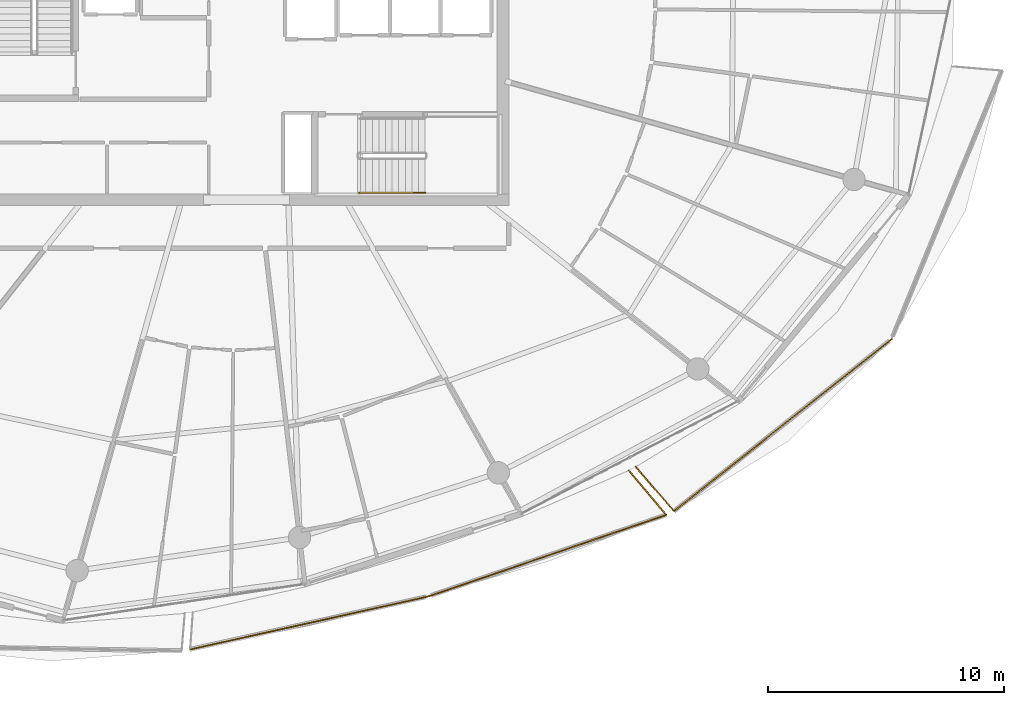
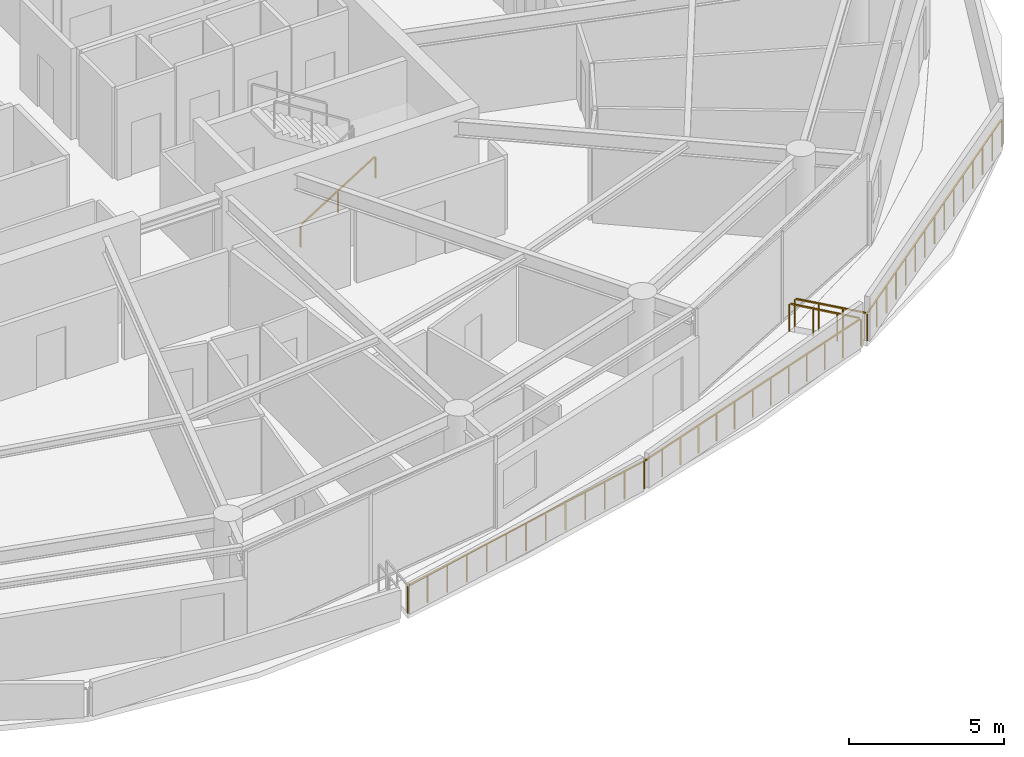
# One storey, part 25 of 29: 6 railings.
"""IFC4 building model written with IfcOpenShell, lengths in metres."""

from ifc_helpers import new_model, si_unit, direction, frame, origin, origin_2d, place, context, subcontext, project, spatial, rectangle, extrude, material, type_object, element, save


model = new_model("IFC4")

# Units and contexts
model_context = context("Model", 3, precision=1e-05, world=origin(), true_north=direction((0.0, 1.0)))
body_context = subcontext(model_context, "Body", "Model", "MODEL_VIEW")
ifc_project = project(units=[si_unit("LENGTHUNIT", "METRE"), si_unit("AREAUNIT", "SQUARE_METRE"), si_unit("VOLUMEUNIT", "CUBIC_METRE"), si_unit("PLANEANGLEUNIT", "RADIAN"), si_unit("MASSUNIT", "GRAM", prefix="KILO")], contexts=[model_context])

# Site, building, storey
site_placement = place(None, origin())
site = spatial("IfcSite", under=ifc_project, at=site_placement, CompositionType="ELEMENT")
building_placement = place(site_placement, origin())
building = spatial("IfcBuilding", under=site, at=building_placement, Name="Kazma Halo Residences", CompositionType="ELEMENT")
storey_placement = place(building_placement, frame((0.0, 0.0, 282.89990234375)))
storey = spatial("IfcBuildingStorey", under=building, at=storey_placement, Name="L71", CompositionType="ELEMENT", Elevation=282.89990234375)

# Railings
ifc_material_1 = material(Name="Aluminium AW-6063 T6 Brushed Cap Rail", Category="aluminium")
railing_type_1 = type_object("IfcRailingType", Name="RLG-BAL-CAP-1120", PredefinedType="BALUSTRADE", material=ifc_material_1)
railing_1_placement = place(storey_placement, frame((46.01708984375, 14.672607421875, 0.0)))
element("IfcRailing", 1, at=railing_1_placement, inside=storey, type_object=railing_type_1, Name="L71 SSE wave balcony guard 2", PredefinedType="BALUSTRADE", context=body_context, shape_type="SweptSolid", body=[
    extrude(rectangle(XDim=0.050048828125, YDim=0.050048828125, at=origin_2d()), frame((0.04150390625, 0.00927734375, 1.09521484375), z_axis=(0.976128347195, 0.217194497633, 0.0), x_axis=(-0.217194497633, 0.976128347195, 0.0)), (0.0, 0.0, 1.0), 10.292236328125),
    extrude(rectangle(XDim=0.0400390625, YDim=0.0400390625, at=origin_2d()), origin(), (0.0, 0.0, 1.0), 1.05810546875),
    extrude(rectangle(XDim=0.0400390625, YDim=0.0400390625, at=origin_2d()), frame((0.84423828125, 0.187744140625, 0.0)), (0.0, 0.0, 1.0), 1.05810546875),
    extrude(rectangle(XDim=0.0400390625, YDim=0.0400390625, at=origin_2d()), frame((1.688232421875, 0.375732421875, 0.0)), (0.0, 0.0, 1.0), 1.05810546875),
    extrude(rectangle(XDim=0.0400390625, YDim=0.0400390625, at=origin_2d()), frame((2.532470703125, 0.5634765625, 0.0)), (0.0, 0.0, 1.0), 1.05810546875),
    extrude(rectangle(XDim=0.0400390625, YDim=0.0400390625, at=origin_2d()), frame((3.37646484375, 0.751220703125, 0.0)), (0.0, 0.0, 1.0), 1.05810546875),
    extrude(rectangle(XDim=0.0400390625, YDim=0.0400390625, at=origin_2d()), frame((4.220703125, 0.939208984375, 0.0)), (0.0, 0.0, 1.0), 1.05810546875),
    extrude(rectangle(XDim=0.0400390625, YDim=0.0400390625, at=origin_2d()), frame((5.06494140625, 1.126953125, 0.0)), (0.0, 0.0, 1.0), 1.05810546875),
    extrude(rectangle(XDim=0.0400390625, YDim=0.0400390625, at=origin_2d()), frame((5.908935546875, 1.314697265625, 0.0)), (0.0, 0.0, 1.0), 1.05810546875),
    extrude(rectangle(XDim=0.0400390625, YDim=0.0400390625, at=origin_2d()), frame((6.753173828125, 1.502685546875, 0.0)), (0.0, 0.0, 1.0), 1.05810546875),
    extrude(rectangle(XDim=0.0400390625, YDim=0.0400390625, at=origin_2d()), frame((7.59716796875, 1.6904296875, 0.0)), (0.0, 0.0, 1.0), 1.05810546875),
    extrude(rectangle(XDim=0.0400390625, YDim=0.0400390625, at=origin_2d()), frame((8.44140625, 1.878173828125, 0.0)), (0.0, 0.0, 1.0), 1.05810546875),
    extrude(rectangle(XDim=0.0400390625, YDim=0.0400390625, at=origin_2d()), frame((9.285400390625, 2.066162109375, 0.0)), (0.0, 0.0, 1.0), 1.05810546875),
    extrude(rectangle(XDim=0.0400390625, YDim=0.0400390625, at=origin_2d()), frame((10.129638671875, 2.25390625, 0.0)), (0.0, 0.0, 1.0), 1.05810546875),
])
railing_2_placement = place(storey_placement, frame((56.146728515625, 16.926513671875, 0.0)))
element("IfcRailing", 2, at=railing_2_placement, inside=storey, type_object=railing_type_1, Name="L71 SSE wave balcony guard 3", PredefinedType="BALUSTRADE", context=body_context, shape_type="SweptSolid", body=[
    extrude(rectangle(XDim=0.050048828125, YDim=0.050048828125, at=origin_2d()), frame((0.040283203125, 0.013671875, 1.09521484375), z_axis=(0.945989483895, 0.324197310845, 0.0), x_axis=(-0.324197310845, 0.945989483895, 0.0)), (0.0, 0.0, 1.0), 10.5791015625),
    extrude(rectangle(XDim=0.0400390625, YDim=0.0400390625, at=origin_2d()), origin(), (0.0, 0.0, 1.0), 1.05810546875),
    extrude(rectangle(XDim=0.0400390625, YDim=0.0400390625, at=origin_2d()), frame((0.840576171875, 0.2880859375, 0.0)), (0.0, 0.0, 1.0), 1.05810546875),
    extrude(rectangle(XDim=0.0400390625, YDim=0.0400390625, at=origin_2d()), frame((1.681396484375, 0.576171875, 0.0)), (0.0, 0.0, 1.0), 1.05810546875),
    extrude(rectangle(XDim=0.0400390625, YDim=0.0400390625, at=origin_2d()), frame((2.52197265625, 0.8642578125, 0.0)), (0.0, 0.0, 1.0), 1.05810546875),
    extrude(rectangle(XDim=0.0400390625, YDim=0.0400390625, at=origin_2d()), frame((3.36279296875, 1.15234375, 0.0)), (0.0, 0.0, 1.0), 1.05810546875),
    extrude(rectangle(XDim=0.0400390625, YDim=0.0400390625, at=origin_2d()), frame((4.203369140625, 1.4404296875, 0.0)), (0.0, 0.0, 1.0), 1.05810546875),
    extrude(rectangle(XDim=0.0400390625, YDim=0.0400390625, at=origin_2d()), frame((5.0439453125, 1.728515625, 0.0)), (0.0, 0.0, 1.0), 1.05810546875),
    extrude(rectangle(XDim=0.0400390625, YDim=0.0400390625, at=origin_2d()), frame((5.884765625, 2.016845703125, 0.0)), (0.0, 0.0, 1.0), 1.05810546875),
    extrude(rectangle(XDim=0.0400390625, YDim=0.0400390625, at=origin_2d()), frame((6.725341796875, 2.304931640625, 0.0)), (0.0, 0.0, 1.0), 1.05810546875),
    extrude(rectangle(XDim=0.0400390625, YDim=0.0400390625, at=origin_2d()), frame((7.566162109375, 2.593017578125, 0.0)), (0.0, 0.0, 1.0), 1.05810546875),
    extrude(rectangle(XDim=0.0400390625, YDim=0.0400390625, at=origin_2d()), frame((8.40673828125, 2.881103515625, 0.0)), (0.0, 0.0, 1.0), 1.05810546875),
    extrude(rectangle(XDim=0.0400390625, YDim=0.0400390625, at=origin_2d()), frame((9.24755859375, 3.169189453125, 0.0)), (0.0, 0.0, 1.0), 1.05810546875),
    extrude(rectangle(XDim=0.0400390625, YDim=0.0400390625, at=origin_2d()), frame((10.088134765625, 3.457275390625, 0.0)), (0.0, 0.0, 1.0), 1.05810546875),
])
railing_3_placement = place(storey_placement, frame((66.23486328125, 20.3837890625, 0.0)))
element("IfcRailing", 3, at=railing_3_placement, inside=storey, type_object=railing_type_1, Name="L71 SSE wave balcony guard 4", PredefinedType="BALUSTRADE", context=body_context, shape_type="SweptSolid", body=[
    extrude(rectangle(XDim=0.050048828125, YDim=0.050048828125, at=origin_2d()), frame((-0.02734375, 0.032470703125, 1.09521484375), z_axis=(-0.644836604623, 0.764320451995, 0.0), x_axis=(-0.764320451995, -0.644836604623, 0.0)), (0.0, 0.0, 1.0), 2.381103515625),
    extrude(rectangle(XDim=0.0400390625, YDim=0.0400390625, at=origin_2d()), origin(), (0.0, 0.0, 1.0), 1.05810546875),
    extrude(rectangle(XDim=0.0400390625, YDim=0.0400390625, at=origin_2d()), frame((-0.530029296875, 0.62841796875, 0.0)), (0.0, 0.0, 1.0), 1.05810546875),
    extrude(rectangle(XDim=0.0400390625, YDim=0.0400390625, at=origin_2d()), frame((-1.060302734375, 1.256591796875, 0.0)), (0.0, 0.0, 1.0), 1.05810546875),
    extrude(rectangle(XDim=0.0400390625, YDim=0.0400390625, at=origin_2d()), frame((-1.59033203125, 1.885009765625, 0.0)), (0.0, 0.0, 1.0), 1.05810546875),
])
railing_4_placement = place(storey_placement, frame((64.93212890625, 22.41845703125, 0.0)))
element("IfcRailing", 4, at=railing_4_placement, inside=storey, type_object=railing_type_1, Name="L71 SE wave balcony guard 1", PredefinedType="BALUSTRADE", context=body_context, shape_type="SweptSolid", body=[
    extrude(rectangle(XDim=0.050048828125, YDim=0.050048828125, at=origin_2d()), frame((0.02783203125, -0.0322265625, 1.09521484375), z_axis=(0.65405468869, -0.756447264654, 0.0), x_axis=(0.756447264654, 0.65405468869, 0.0)), (0.0, 0.0, 1.0), 2.3994140625),
    extrude(rectangle(XDim=0.0400390625, YDim=0.0400390625, at=origin_2d()), origin(), (0.0, 0.0, 1.0), 1.05810546875),
    extrude(rectangle(XDim=0.0400390625, YDim=0.0400390625, at=origin_2d()), frame((0.541748046875, -0.62646484375, 0.0)), (0.0, 0.0, 1.0), 1.05810546875),
    extrude(rectangle(XDim=0.0400390625, YDim=0.0400390625, at=origin_2d()), frame((1.083251953125, -1.2529296875, 0.0)), (0.0, 0.0, 1.0), 1.05810546875),
    extrude(rectangle(XDim=0.0400390625, YDim=0.0400390625, at=origin_2d()), frame((1.625, -1.87939453125, 0.0)), (0.0, 0.0, 1.0), 1.05810546875),
])
railing_5_placement = place(storey_placement, frame((66.55712890625, 20.5390625, 0.0)))
element("IfcRailing", 5, at=railing_5_placement, inside=storey, type_object=railing_type_1, Name="L71 SE wave balcony guard 2", PredefinedType="BALUSTRADE", context=body_context, shape_type="SweptSolid", body=[
    extrude(rectangle(XDim=0.050048828125, YDim=0.050048828125, at=origin_2d()), frame((0.033447265625, 0.0263671875, 1.09521484375), z_axis=(0.784537591948, 0.62008125824, 0.0), x_axis=(-0.62008125824, 0.784537591948, 0.0)), (0.0, 0.0, 1.0), 11.687255859375),
    extrude(rectangle(XDim=0.0400390625, YDim=0.0400390625, at=origin_2d()), origin(), (0.0, 0.0, 1.0), 1.05810546875),
    extrude(rectangle(XDim=0.0400390625, YDim=0.0400390625, at=origin_2d()), frame((0.65966796875, 0.521484375, 0.0)), (0.0, 0.0, 1.0), 1.05810546875),
    extrude(rectangle(XDim=0.0400390625, YDim=0.0400390625, at=origin_2d()), frame((1.3193359375, 1.042724609375, 0.0)), (0.0, 0.0, 1.0), 1.05810546875),
    extrude(rectangle(XDim=0.0400390625, YDim=0.0400390625, at=origin_2d()), frame((1.97900390625, 1.564208984375, 0.0)), (0.0, 0.0, 1.0), 1.05810546875),
    extrude(rectangle(XDim=0.0400390625, YDim=0.0400390625, at=origin_2d()), frame((2.638916015625, 2.085693359375, 0.0)), (0.0, 0.0, 1.0), 1.05810546875),
    extrude(rectangle(XDim=0.0400390625, YDim=0.0400390625, at=origin_2d()), frame((3.298583984375, 2.607177734375, 0.0)), (0.0, 0.0, 1.0), 1.05810546875),
    extrude(rectangle(XDim=0.0400390625, YDim=0.0400390625, at=origin_2d()), frame((3.958251953125, 3.12841796875, 0.0)), (0.0, 0.0, 1.0), 1.05810546875),
    extrude(rectangle(XDim=0.0400390625, YDim=0.0400390625, at=origin_2d()), frame((4.617919921875, 3.64990234375, 0.0)), (0.0, 0.0, 1.0), 1.05810546875),
    extrude(rectangle(XDim=0.0400390625, YDim=0.0400390625, at=origin_2d()), frame((5.277587890625, 4.17138671875, 0.0)), (0.0, 0.0, 1.0), 1.05810546875),
    extrude(rectangle(XDim=0.0400390625, YDim=0.0400390625, at=origin_2d()), frame((5.937255859375, 4.692626953125, 0.0)), (0.0, 0.0, 1.0), 1.05810546875),
    extrude(rectangle(XDim=0.0400390625, YDim=0.0400390625, at=origin_2d()), frame((6.596923828125, 5.214111328125, 0.0)), (0.0, 0.0, 1.0), 1.05810546875),
    extrude(rectangle(XDim=0.0400390625, YDim=0.0400390625, at=origin_2d()), frame((7.2568359375, 5.735595703125, 0.0)), (0.0, 0.0, 1.0), 1.05810546875),
    extrude(rectangle(XDim=0.0400390625, YDim=0.0400390625, at=origin_2d()), frame((7.91650390625, 6.257080078125, 0.0)), (0.0, 0.0, 1.0), 1.05810546875),
    extrude(rectangle(XDim=0.0400390625, YDim=0.0400390625, at=origin_2d()), frame((8.576171875, 6.7783203125, 0.0)), (0.0, 0.0, 1.0), 1.05810546875),
    extrude(rectangle(XDim=0.0400390625, YDim=0.0400390625, at=origin_2d()), frame((9.23583984375, 7.2998046875, 0.0)), (0.0, 0.0, 1.0), 1.05810546875),
])
ifc_material_2 = material(Name="Brushed Stainless Steel", Category="steel")
railing_type_2 = type_object("IfcRailingType", Name="RLG-STAIR-HND-900", PredefinedType="HANDRAIL", material=ifc_material_2)
railing_6_placement = place(storey_placement, frame((53.199951171875, 34.050048828125, 0.175048828125)))
element("IfcRailing", 6, at=railing_6_placement, inside=storey, type_object=railing_type_2, Name="L71 ST-03 stair handrail 1", PredefinedType="HANDRAIL", context=body_context, shape_type="SweptSolid", body=[
    extrude(rectangle(XDim=0.050048828125, YDim=0.050048828125, at=origin_2d()), frame((0.0361328125, 0.0, 0.8974609375), z_axis=(0.848002457836, 0.0, 0.529992293815), x_axis=(0.0, 1.0, 0.0)), (0.0, 0.0, 1.0), 3.216796875),
    extrude(rectangle(XDim=0.0400390625, YDim=0.0400390625, at=origin_2d()), origin(), (0.0, 0.0, 1.0), 0.837890625),
    extrude(rectangle(XDim=0.0400390625, YDim=0.0400390625, at=origin_2d()), frame((1.39990234375, 0.0, 0.875)), (0.0, 0.0, 1.0), 0.837890625),
    extrude(rectangle(XDim=0.0400390625, YDim=0.0400390625, at=origin_2d()), frame((2.800048828125, 0.0, 1.75)), (0.0, 0.0, 1.0), 0.837890625),
])

save(model, "model.ifc")
